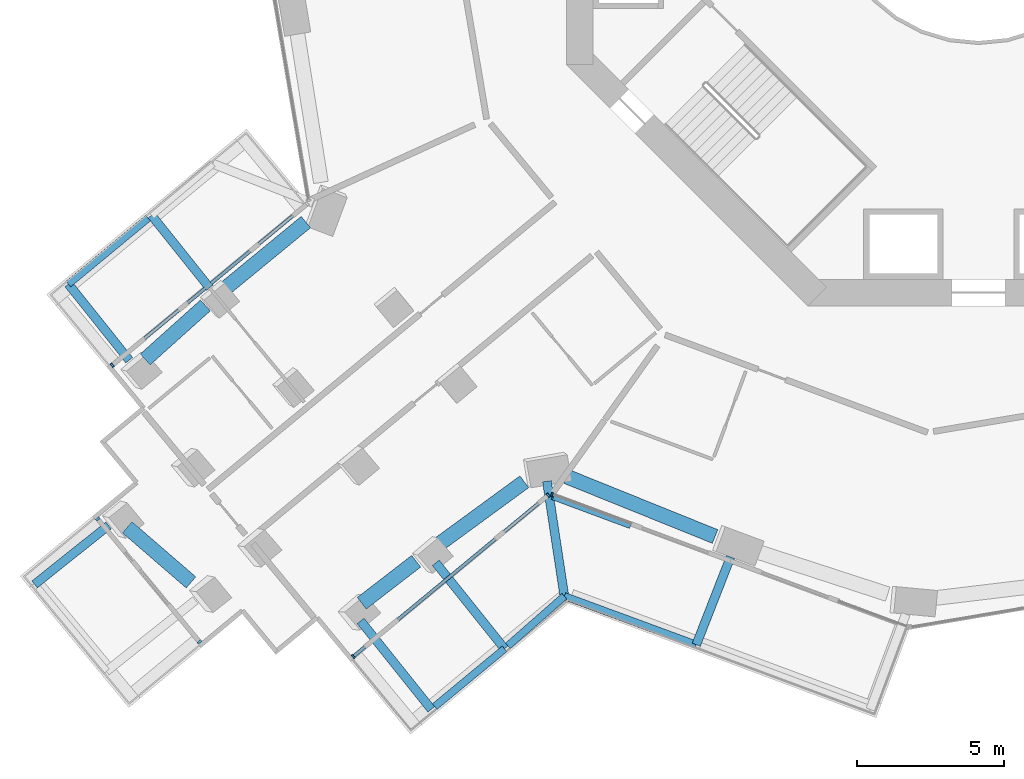
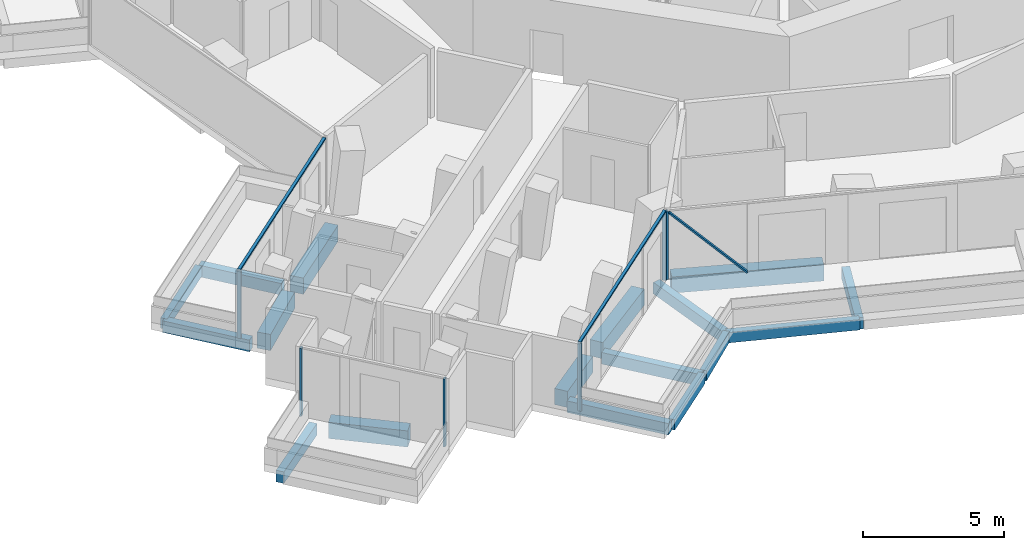
# One storey, part 2 of 27: 17 beams, 9 members, 4 elements without a shape of their own.
"""IFC4 building model written with IfcOpenShell, lengths in metres."""

from ifc_helpers import new_model, si_unit, direction, frame, origin, origin_2d, place, context, subcontext, project, spatial, rectangle, extrude, material, layer, layer_set, material_profile, profile_set, type_object, element, aggregate, save


model = new_model("IFC4")

# Units and contexts
model_context = context("Model", 3, precision=1e-05, world=origin(), true_north=direction((0.0, 1.0)))
body_context = subcontext(model_context, "Body", "Model", "MODEL_VIEW")
ifc_project = project(units=[si_unit("LENGTHUNIT", "METRE"), si_unit("AREAUNIT", "SQUARE_METRE"), si_unit("VOLUMEUNIT", "CUBIC_METRE"), si_unit("PLANEANGLEUNIT", "RADIAN"), si_unit("MASSUNIT", "GRAM", prefix="KILO")], contexts=[model_context])

# Site, building, storey
site_placement = place(None, origin())
site = spatial("IfcSite", under=ifc_project, at=site_placement, CompositionType="ELEMENT")
building_placement = place(site_placement, origin())
building = spatial("IfcBuilding", under=site, at=building_placement, Name="Verdalira Terraces Hotel", CompositionType="ELEMENT")
storey_placement = place(building_placement, frame((0.0, 0.0, 71.5)))
storey = spatial("IfcBuildingStorey", under=building, at=storey_placement, Name="L16", CompositionType="ELEMENT", Elevation=71.5)

# Beams
ifc_material_1 = material(Name="Concrete C40", Category="concrete")
ifc_material_profile_1 = material_profile(ifc_material_1, rectangle(XDim=0.300049, YDim=0.5, at=origin_2d()), Name="RC 300X500")
ifc_profile_set_1 = profile_set([ifc_material_profile_1], Name="Concrete C40")
beam_type_1 = type_object("IfcBeamType", Name="Balcony cantilever beam RC 300X500 C40", PredefinedType="BEAM", material=ifc_profile_set_1)
beam_1_placement = place(storey_placement, frame((-26.134277, -13.388428, -0.560059), z_axis=(-0.624440454, 0.781072416, 0.0), x_axis=(-0.781072416, -0.624440454, 0.0)))
element("IfcBeam", 1, at=beam_1_placement, inside=storey, type_object=beam_type_1, Name="Balcony cantilever beam R14-2", PredefinedType="BEAM", context=body_context, shape_type="SweptSolid", body=[
    extrude(rectangle(XDim=0.300049, YDim=0.5, at=origin_2d()), origin(), (0.0, 0.0, 1.0), 3.157959),
])
beam_2_placement = place(storey_placement, frame((-28.862793, -15.845703, -0.560059), z_axis=(-0.624434316, 0.781077324, 0.0), x_axis=(-0.781077324, -0.624434316, 0.0)))
element("IfcBeam", 2, at=beam_2_placement, inside=storey, type_object=beam_type_1, Name="Balcony cantilever beam R14-3", PredefinedType="BEAM", context=body_context, shape_type="SweptSolid", body=[
    extrude(rectangle(XDim=0.300049, YDim=0.5, at=origin_2d()), origin(), (0.0, 0.0, 1.0), 3.312012),
])
beam_3_placement = place(storey_placement, frame((-29.566895, -21.460693, -0.560059), z_axis=(-0.781068658, -0.624445155, 0.0), x_axis=(0.624445155, -0.781068658, 0.0)))
element("IfcBeam", 3, at=beam_3_placement, inside=storey, type_object=beam_type_1, Name="Balcony cantilever beam R19-1", PredefinedType="BEAM", context=body_context, shape_type="SweptSolid", body=[
    extrude(rectangle(XDim=0.300049, YDim=0.5, at=origin_2d()), origin(), (0.0, 0.0, 1.0), 3.217285),
])
beam_4_placement = place(storey_placement, frame((-20.999268, -24.70752, -0.560059), z_axis=(0.624439707, -0.781073013, 0.0), x_axis=(0.781073013, 0.624439707, 0.0)))
element("IfcBeam", 4, at=beam_4_placement, inside=storey, type_object=beam_type_1, Name="Balcony cantilever beam R24-1", PredefinedType="BEAM", context=body_context, shape_type="SweptSolid", body=[
    extrude(rectangle(XDim=0.300049, YDim=0.5, at=origin_2d()), origin(), (0.0, 0.0, 1.0), 3.848389),
])
beam_5_placement = place(storey_placement, frame((-18.444824, -22.730713, -0.560059), z_axis=(0.624424582, -0.781085105, 0.0), x_axis=(0.781085105, 0.624424582, 0.0)))
element("IfcBeam", 5, at=beam_5_placement, inside=storey, type_object=beam_type_1, Name="Balcony cantilever beam R24-2", PredefinedType="BEAM", context=body_context, shape_type="SweptSolid", body=[
    extrude(rectangle(XDim=0.300049, YDim=0.5, at=origin_2d()), origin(), (0.0, 0.0, 1.0), 3.743408),
])
beam_6_placement = place(storey_placement, frame((-14.667236, -19.960449, -0.560059), z_axis=(0.150259449, -0.988646599, 0.0), x_axis=(0.988646599, 0.150259449, 0.0)))
element("IfcBeam", 6, at=beam_6_placement, inside=storey, type_object=beam_type_1, Name="Balcony cantilever beam R24-3", PredefinedType="BEAM", context=body_context, shape_type="SweptSolid", body=[
    extrude(rectangle(XDim=0.300049, YDim=0.5, at=origin_2d()), origin(), (0.0, 0.0, 1.0), 3.949951),
])
beam_7_placement = place(storey_placement, frame((-8.425781, -22.53418, -0.560059), z_axis=(-0.36427856, -0.931290036, 0.0), x_axis=(0.931290036, -0.36427856, 0.0)))
element("IfcBeam", 7, at=beam_7_placement, inside=storey, type_object=beam_type_1, Name="Balcony cantilever beam R24-4", PredefinedType="BEAM", context=body_context, shape_type="SweptSolid", body=[
    extrude(rectangle(XDim=0.300049, YDim=0.5, at=origin_2d()), origin(), (0.0, 0.0, 1.0), 3.200928),
])
ifc_material_2 = material(Name="Concrete C40", Category="concrete")
ifc_material_profile_2 = material_profile(ifc_material_2, rectangle(XDim=0.25, YDim=0.449951, at=origin_2d()), Name="RC 250X450")
ifc_profile_set_2 = profile_set([ifc_material_profile_2], Name="Concrete C40")
beam_type_2 = type_object("IfcBeamType", Name="Balcony edge beam RC 250X450 C40", PredefinedType="BEAM", material=ifc_profile_set_2)
beam_8_placement = place(storey_placement, frame((-28.22168, -11.017578, -0.534912), z_axis=(-0.770521318, -0.637414229, 0.0), x_axis=(0.637414229, -0.770521318, 0.0)))
element("IfcBeam", 8, at=beam_8_placement, inside=storey, type_object=beam_type_2, Name="Balcony edge beam R14-2", PredefinedType="BEAM", context=body_context, shape_type="SweptSolid", body=[
    extrude(rectangle(XDim=0.25, YDim=0.449951, at=origin_2d()), origin(), (0.0, 0.0, 1.0), 3.516113),
])
beam_9_placement = place(storey_placement, frame((-18.480469, -27.61792, -0.534912), z_axis=(0.770477554, 0.637467128, 0.0), x_axis=(-0.637467128, 0.770477554, 0.0)))
element("IfcBeam", 9, at=beam_9_placement, inside=storey, type_object=beam_type_2, Name="Balcony edge beam R24-1", PredefinedType="BEAM", context=body_context, shape_type="SweptSolid", body=[
    extrude(rectangle(XDim=0.25, YDim=0.449951, at=origin_2d()), origin(), (0.0, 0.0, 1.0), 3.080078),
])
beam_10_placement = place(storey_placement, frame((-15.994629, -25.55542, -0.534912), z_axis=(0.750800589, 0.660528937, 0.0), x_axis=(-0.660528937, 0.750800589, 0.0)))
element("IfcBeam", 10, at=beam_10_placement, inside=storey, type_object=beam_type_2, Name="Balcony edge beam R24-2", PredefinedType="BEAM", context=body_context, shape_type="SweptSolid", body=[
    extrude(rectangle(XDim=0.25, YDim=0.449951, at=origin_2d()), origin(), (0.0, 0.0, 1.0), 2.55835),
])
beam_11_placement = place(storey_placement, frame((-14.07373, -23.865479, -0.534912), z_axis=(0.938450422, -0.345413961, 0.0), x_axis=(0.345413961, 0.938450422, 0.0)))
element("IfcBeam", 11, at=beam_11_placement, inside=storey, type_object=beam_type_2, Name="Balcony edge beam R24-3", PredefinedType="BEAM", context=body_context, shape_type="SweptSolid", body=[
    extrude(rectangle(XDim=0.25, YDim=0.449951, at=origin_2d()), origin(), (0.0, 0.0, 1.0), 4.775879),
])

# Curtain wall, member
ifc_material_3 = material(Name="Clear glass", Category="glass")
ifc_layer_1 = layer(ifc_material_3, 0.14990234375)
ifc_layer_set_1 = layer_set([ifc_layer_1], Name="CW1 curtain wall")
curtain_wall_type_1 = type_object("IfcCurtainWallType", Name="CW1 curtain wall", PredefinedType="NOTDEFINED", material=ifc_layer_set_1)
curtain_wall_1_placement = place(storey_placement, origin())
curtain_wall_1 = element("IfcCurtainWall", 12, at=curtain_wall_1_placement, inside=storey, type_object=curtain_wall_type_1, Name="CW1 curtain wall L16 edge 25", PredefinedType="NOTDEFINED")
ifc_material_4 = material(Name="Terracotta frame", Category="masonry")
ifc_material_profile_3 = material_profile(ifc_material_4, rectangle(XDim=0.060059, YDim=0.149902, at=origin_2d()), Name="MU 60x150")
ifc_profile_set_3 = profile_set([ifc_material_profile_3], Name="Terracotta frame")
member_type_1 = type_object("IfcMemberType", Name="CW1 mullion 60x150", PredefinedType="MULLION", material=ifc_profile_set_3)
member_1_placement = place(storey_placement, frame((-14.493896, -20.411377, 0.0), z_axis=(0.0, 0.0, 1.0), x_axis=(0.937281989, -0.348572047, 0.0)))
member_1 = element("IfcMember", 13, at=member_1_placement, type_object=member_type_1, Name="CW1 mullion", PredefinedType="MULLION", context=body_context, shape_type="SweptSolid", body=[
    extrude(rectangle(XDim=0.060059, YDim=0.149902, at=origin_2d()), origin(), (0.0, 0.0, 1.0), 2.935059),
])

ifc_material_5 = material(Name="Clear glass", Category="glass")
ifc_layer_2 = layer(ifc_material_5, 0.14990234375)
ifc_layer_set_2 = layer_set([ifc_layer_2], Name="CW2 curtain wall")
curtain_wall_type_2 = type_object("IfcCurtainWallType", Name="CW2 curtain wall", PredefinedType="NOTDEFINED", material=ifc_layer_set_2)
curtain_wall_2_placement = place(storey_placement, origin())
curtain_wall_2 = element("IfcCurtainWall", 14, at=curtain_wall_2_placement, inside=storey, type_object=curtain_wall_type_2, Name="CW2 curtain wall L16 edge 14", PredefinedType="NOTDEFINED")
ifc_material_6 = material(Name="Terracotta frame", Category="masonry")
ifc_material_profile_4 = material_profile(ifc_material_6, rectangle(XDim=0.070068, YDim=0.149902, at=origin_2d()), Name="MU 70x150")
ifc_profile_set_4 = profile_set([ifc_material_profile_4], Name="Terracotta frame")
member_type_2 = type_object("IfcMemberType", Name="CW2 mullion 70x150", PredefinedType="MULLION", material=ifc_profile_set_4)
member_2_placement = place(storey_placement, frame((-29.439941, -16.016357, 0.0), z_axis=(0.0, 0.0, 1.0), x_axis=(-0.770513243, -0.63742399, 0.0)))
member_2 = element("IfcMember", 15, at=member_2_placement, type_object=member_type_2, Name="CW2 mullion", PredefinedType="MULLION", context=body_context, shape_type="SweptSolid", body=[
    extrude(rectangle(XDim=0.070068, YDim=0.149902, at=origin_2d()), origin(), (0.0, 0.0, 1.0), 2.935059),
])

# Curtain wall, members
curtain_wall_3_placement = place(storey_placement, origin())
curtain_wall_3 = element("IfcCurtainWall", 16, at=curtain_wall_3_placement, inside=storey, type_object=curtain_wall_type_2, Name="CW2 curtain wall L16 edge 24", PredefinedType="NOTDEFINED")
member_3_placement = place(storey_placement, frame((-21.249023, -25.91748, 0.0), z_axis=(0.0, 0.0, 1.0), x_axis=(0.770513243, 0.63742399, 0.0)))
member_3 = element("IfcMember", 17, at=member_3_placement, type_object=member_type_2, Name="CW2 mullion", PredefinedType="MULLION", context=body_context, shape_type="SweptSolid", body=[
    extrude(rectangle(XDim=0.070068, YDim=0.149902, at=origin_2d()), origin(), (0.0, 0.0, 1.0), 2.935059),
])
member_4_placement = place(storey_placement, frame((-14.622803, -20.435791, 0.0), z_axis=(0.0, 0.0, 1.0), x_axis=(0.770513243, 0.63742399, 0.0)))
member_4 = element("IfcMember", 18, at=member_4_placement, type_object=member_type_2, Name="CW2 mullion", PredefinedType="MULLION", context=body_context, shape_type="SweptSolid", body=[
    extrude(rectangle(XDim=0.070068, YDim=0.149902, at=origin_2d()), origin(), (0.0, 0.0, 1.0), 2.935059),
])

# Member
ifc_material_7 = material(Name="Terracotta frame", Category="masonry")
ifc_material_profile_5 = material_profile(ifc_material_7, rectangle(XDim=0.11499, YDim=0.064941, at=origin_2d()), Name="TR 65x115")
ifc_profile_set_5 = profile_set([ifc_material_profile_5], Name="Terracotta frame")
member_type_3 = type_object("IfcMemberType", Name="CW2 transom 65x115", PredefinedType="USERDEFINED", material=ifc_profile_set_5)
member_5_placement = place(storey_placement, frame((-22.786865, -10.512207, 2.967529), z_axis=(-0.770510684, -0.637427083, 0.0), x_axis=(0.637427083, -0.770510684, 0.0)))
member_5 = element("IfcMember", 19, at=member_5_placement, type_object=member_type_3, Name="CW2 transom", ObjectType="TRANSOM", PredefinedType="USERDEFINED", context=body_context, shape_type="SweptSolid", body=[
    extrude(rectangle(XDim=0.11499, YDim=0.064941, at=origin_2d()), origin(), (0.0, 0.0, 1.0), 8.669922),
])

aggregate(curtain_wall_2, [member_2, member_5])

member_6_placement = place(storey_placement, frame((-21.276123, -25.939697, 2.967529), z_axis=(0.770510684, 0.637427083, 0.0), x_axis=(-0.637427083, 0.770510684, 0.0)))
member_6 = element("IfcMember", 20, at=member_6_placement, type_object=member_type_3, Name="CW2 transom", ObjectType="TRANSOM", PredefinedType="USERDEFINED", context=body_context, shape_type="SweptSolid", body=[
    extrude(rectangle(XDim=0.11499, YDim=0.064941, at=origin_2d()), origin(), (0.0, 0.0, 1.0), 8.669922),
])

aggregate(curtain_wall_3, [member_3, member_4, member_6])

# Curtain wall, members
ifc_material_8 = material(Name="Clear glass", Category="glass")
ifc_layer_3 = layer(ifc_material_8, 0.14990234375)
ifc_layer_set_3 = layer_set([ifc_layer_3], Name="CW3 curtain wall")
curtain_wall_type_3 = type_object("IfcCurtainWallType", Name="CW3 curtain wall", PredefinedType="NOTDEFINED", material=ifc_layer_set_3)
curtain_wall_4_placement = place(storey_placement, origin())
curtain_wall_4 = element("IfcCurtainWall", 21, at=curtain_wall_4_placement, inside=storey, type_object=curtain_wall_type_3, Name="CW3 curtain wall L16 edge 19", PredefinedType="NOTDEFINED")
ifc_material_9 = material(Name="Terracotta frame", Category="masonry")
ifc_material_profile_6 = material_profile(ifc_material_9, rectangle(XDim=0.080078, YDim=0.149902, at=origin_2d()), Name="MU 80x150")
ifc_profile_set_6 = profile_set([ifc_material_profile_6], Name="Terracotta frame")
member_type_4 = type_object("IfcMemberType", Name="CW3 mullion 80x150", PredefinedType="MULLION", material=ifc_profile_set_6)
member_7_placement = place(storey_placement, frame((-29.930664, -21.243652, 0.0), z_axis=(0.0, 0.0, 1.0), x_axis=(0.63742399, -0.770513243, 0.0)))
member_7 = element("IfcMember", 22, at=member_7_placement, type_object=member_type_4, Name="CW3 mullion", PredefinedType="MULLION", context=body_context, shape_type="SweptSolid", body=[
    extrude(rectangle(XDim=0.080078, YDim=0.149902, at=origin_2d()), origin(), (0.0, 0.0, 1.0), 2.935059),
])
member_8_placement = place(storey_placement, frame((-26.47583, -25.419678, 0.0), z_axis=(0.0, 0.0, 1.0), x_axis=(0.63742399, -0.770513243, 0.0)))
member_8 = element("IfcMember", 23, at=member_8_placement, type_object=member_type_4, Name="CW3 mullion", PredefinedType="MULLION", context=body_context, shape_type="SweptSolid", body=[
    extrude(rectangle(XDim=0.080078, YDim=0.149902, at=origin_2d()), origin(), (0.0, 0.0, 1.0), 2.935059),
])
aggregate(curtain_wall_4, [member_7, member_8])

# Member
ifc_material_10 = material(Name="Terracotta frame", Category="masonry")
ifc_material_profile_7 = material_profile(ifc_material_10, rectangle(XDim=0.149902, YDim=0.060059, at=origin_2d()), Name="GB 60x150")
ifc_profile_set_7 = profile_set([ifc_material_profile_7], Name="Terracotta frame")
member_type_5 = type_object("IfcMemberType", Name="Diagonal glazing bar 60x150", PredefinedType="USERDEFINED", material=ifc_profile_set_7)
member_9_placement = place(storey_placement, frame((-14.475342, -20.513184, 2.911377), z_axis=(0.651760474, -0.242367161, -0.718655998), x_axis=(0.348546291, 0.937291568, 0.0)))
member_9 = element("IfcMember", 24, at=member_9_placement, type_object=member_type_5, Name="Diagonal glazing bar", ObjectType="GLAZING BAR", PredefinedType="USERDEFINED", context=body_context, shape_type="SweptSolid", body=[
    extrude(rectangle(XDim=0.149902, YDim=0.060059, at=origin_2d()), origin(), (0.0, 0.0, 1.0), 4.018311),
])

aggregate(curtain_wall_1, [member_1, member_9])

# Beams
ifc_material_11 = material(Name="Concrete C70", Category="concrete")
ifc_material_profile_8 = material_profile(ifc_material_11, rectangle(XDim=0.5, YDim=0.699951, at=origin_2d()), Name="RC 500X700")
ifc_profile_set_8 = profile_set([ifc_material_profile_8], Name="Concrete C70")
beam_type_3 = type_object("IfcBeamType", Name="Spandrel beam RC 500X700 C70", PredefinedType="SPANDREL", material=ifc_profile_set_8)
beam_12_placement = place(storey_placement, frame((-22.860107, -11.153076, -0.659912), z_axis=(-0.772610484, -0.634880335, 0.0), x_axis=(0.634880335, -0.772610484, 0.0)))
element("IfcBeam", 25, at=beam_12_placement, inside=storey, type_object=beam_type_3, Name="Spandrel beam B14", PredefinedType="SPANDREL", context=body_context, shape_type="SweptSolid", body=[
    extrude(rectangle(XDim=0.5, YDim=0.699951, at=origin_2d()), origin(), (0.0, 0.0, 1.0), 3.509766),
])
beam_13_placement = place(storey_placement, frame((-26.274902, -13.985596, -0.659912), z_axis=(-0.74439283, -0.667741952, 0.0), x_axis=(0.667741952, -0.74439283, 0.0)))
element("IfcBeam", 26, at=beam_13_placement, inside=storey, type_object=beam_type_3, Name="Spandrel beam B15", PredefinedType="SPANDREL", context=body_context, shape_type="SweptSolid", body=[
    extrude(rectangle(XDim=0.5, YDim=0.699951, at=origin_2d()), origin(), (0.0, 0.0, 1.0), 2.748779),
])
beam_14_placement = place(storey_placement, frame((-28.932129, -21.524902, -0.659912), z_axis=(0.756658212, -0.653810638, 0.0), x_axis=(0.653810638, 0.756658212, 0.0)))
element("IfcBeam", 27, at=beam_14_placement, inside=storey, type_object=beam_type_3, Name="Spandrel beam B16", PredefinedType="SPANDREL", context=body_context, shape_type="SweptSolid", body=[
    extrude(rectangle(XDim=0.5, YDim=0.699951, at=origin_2d()), origin(), (0.0, 0.0, 1.0), 2.865234),
])
beam_15_placement = place(storey_placement, frame((-20.960449, -24.106201, -0.659912), z_axis=(0.791764933, 0.610825909, 0.0), x_axis=(-0.610825909, 0.791764933, 0.0)))
element("IfcBeam", 28, at=beam_15_placement, inside=storey, type_object=beam_type_3, Name="Spandrel beam B17", PredefinedType="SPANDREL", context=body_context, shape_type="SweptSolid", body=[
    extrude(rectangle(XDim=0.5, YDim=0.699951, at=origin_2d()), origin(), (0.0, 0.0, 1.0), 2.336914),
])
beam_16_placement = place(storey_placement, frame((-18.371338, -22.124268, -0.659912), z_axis=(0.807377586, 0.590035113, 0.0), x_axis=(-0.590035113, 0.807377586, 0.0)))
element("IfcBeam", 29, at=beam_16_placement, inside=storey, type_object=beam_type_3, Name="Spandrel beam B18", PredefinedType="SPANDREL", context=body_context, shape_type="SweptSolid", body=[
    extrude(rectangle(XDim=0.5, YDim=0.699951, at=origin_2d()), origin(), (0.0, 0.0, 1.0), 3.63501),
])
beam_17_placement = place(storey_placement, frame((-13.996094, -19.801758, -0.659912), z_axis=(0.927320644, -0.374267851, 0.0), x_axis=(0.374267851, 0.927320644, 0.0)))
element("IfcBeam", 30, at=beam_17_placement, inside=storey, type_object=beam_type_3, Name="Spandrel beam B19", PredefinedType="SPANDREL", context=body_context, shape_type="SweptSolid", body=[
    extrude(rectangle(XDim=0.5, YDim=0.699951, at=origin_2d()), origin(), (0.0, 0.0, 1.0), 5.438965),
])

save(model, "model.ifc")
